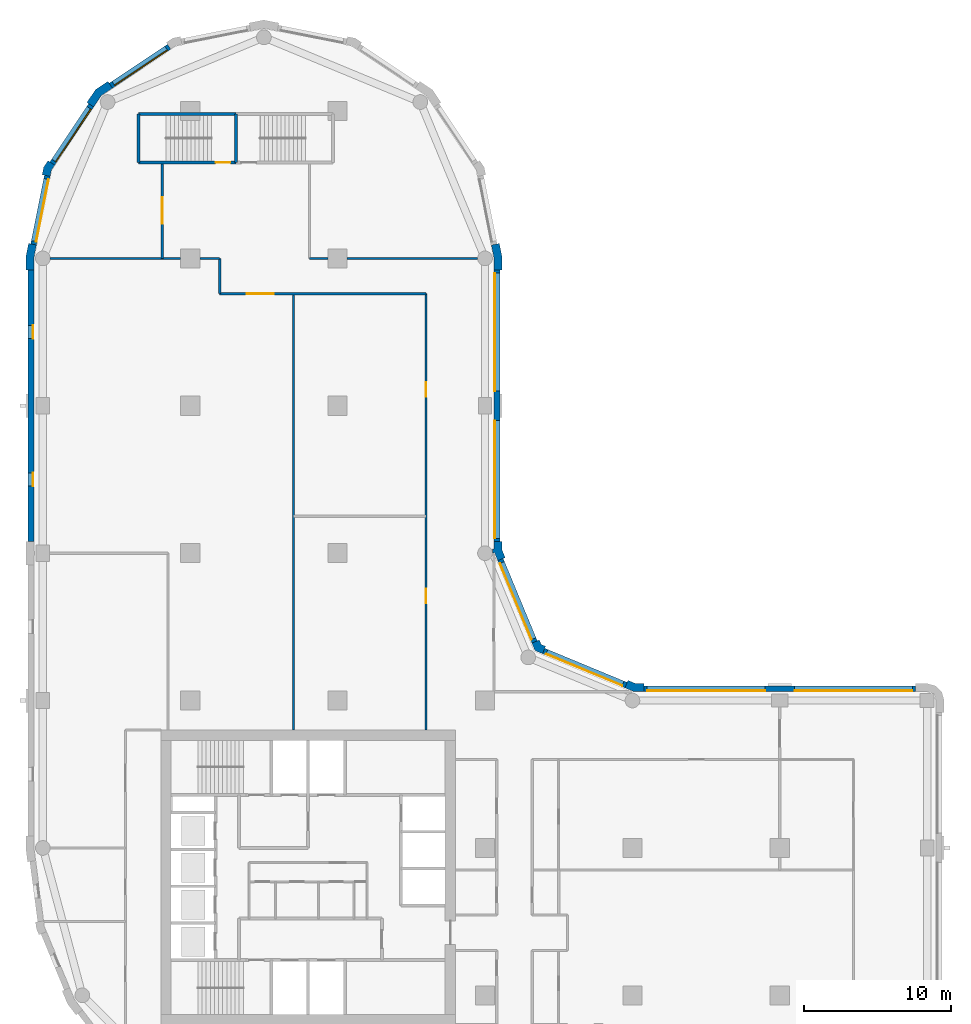
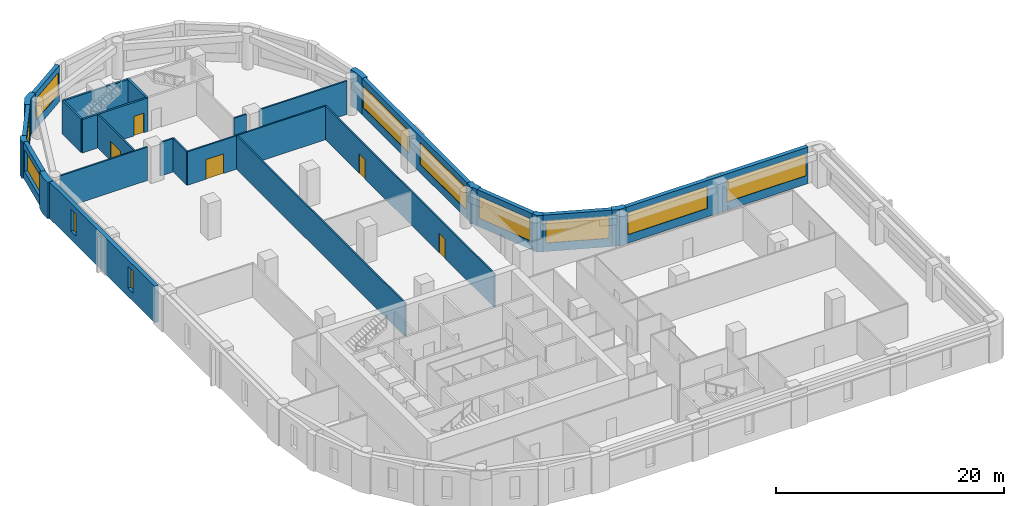
# One storey, part 6 of 9: 28 walls, 11 windows, 5 doors, 16 openings.
"""IFC4 building model written with IfcOpenShell, lengths in metres."""

from ifc_helpers import new_model, si_unit, direction, frame, frame_2d, origin, place, context, subcontext, project, spatial, polyline, rectangle, outline, extrude, material, layer, layer_set, type_object, element, fill, save


model = new_model("IFC4")

# Units and contexts
model_context = context("Model", 3, precision=1e-05, world=origin(), true_north=direction((0.0, 1.0)))
body_context = subcontext(model_context, "Body", "Model", "MODEL_VIEW")
ifc_project = project(units=[si_unit("LENGTHUNIT", "METRE"), si_unit("AREAUNIT", "SQUARE_METRE"), si_unit("VOLUMEUNIT", "CUBIC_METRE"), si_unit("PLANEANGLEUNIT", "RADIAN"), si_unit("MASSUNIT", "GRAM", prefix="KILO")], contexts=[model_context])

# Site, building, storey
site_placement = place(None, origin())
site = spatial("IfcSite", under=ifc_project, at=site_placement, CompositionType="ELEMENT")
building_placement = place(site_placement, origin())
building = spatial("IfcBuilding", under=site, at=building_placement, Name="Qaws Garden Tower", CompositionType="ELEMENT")
storey_placement = place(building_placement, frame((0.0, 0.0, 174.60009765625)))
storey = spatial("IfcBuildingStorey", under=building, at=storey_placement, Name="L42", CompositionType="ELEMENT", Elevation=174.60009765625)

# Wall, openings, windows
ifc_material_1 = material(Name="Clay facing brick masonry", Category="masonry")
ifc_layer_1 = layer(ifc_material_1, 0.39990234375)
ifc_layer_set_1 = layer_set([ifc_layer_1], Name="Clay facing brick masonry")
wall_type_1 = type_object("IfcWallType", Name="Brick infill wall 400", PredefinedType="SOLIDWALL", material=ifc_layer_set_1)
wall_1_placement = place(storey_placement, frame((59.199951171875, 30.800048828125, 0.0), z_axis=(0.0, 0.0, 1.0), x_axis=(-1.0, 0.0, 0.0)))
wall_1 = element("IfcWall", 1, at=wall_1_placement, inside=storey, type_object=wall_type_1, Name="E-L42-infill-07", PredefinedType="SOLIDWALL", context=body_context, shape_type="SweptSolid", body=[
    extrude(rectangle(XDim=18.39990234375, YDim=0.39990234375, at=frame_2d((9.199951171875, 0.0))), origin(), (0.0, 0.0, 1.0), 3.89990234375),
])
opening_1_placement = place(wall_1_placement, frame((0.199951171875, 0.0, 0.89990234375)))
opening_1 = element("IfcOpeningElement", 2, at=opening_1_placement, cuts=wall_1, Name="Opening W01", PredefinedType="OPENING", context=body_context, shape_type="SweptSolid", body=[
    extrude(rectangle(XDim=8.0, YDim=2.35009765625, at=frame_2d((4.0, 1.175048828125))), frame((0.0, 0.2099609375, 0.0), z_axis=(0.0, -1.0, 0.0), x_axis=(1.0, 0.0, 0.0)), (0.0, 0.0, 1.0), 0.419921875),
])
opening_2_placement = place(wall_1_placement, frame((10.199951171875, 0.0, 0.89990234375)))
opening_2 = element("IfcOpeningElement", 3, at=opening_2_placement, cuts=wall_1, Name="Opening W01", PredefinedType="OPENING", context=body_context, shape_type="SweptSolid", body=[
    extrude(rectangle(XDim=8.0, YDim=2.35009765625, at=frame_2d((4.0, 1.175048828125))), frame((0.0, 0.2099609375, 0.0), z_axis=(0.0, -1.0, 0.0), x_axis=(1.0, 0.0, 0.0)), (0.0, 0.0, 1.0), 0.419921875),
])
ifc_material_2 = material(Name="Aluminium framed window, clear glazing", Category="aluminium")
window_type_1 = type_object("IfcWindowType", Name="Ribbon window 8000 x 2350", PartitioningType="DOUBLE_PANEL_VERTICAL", PredefinedType="WINDOW", material=ifc_material_2)
window_1_placement = place(opening_1_placement, origin())
window_1 = element("IfcWindow", 4, at=window_1_placement, inside=storey, type_object=window_type_1, Name="E-L42-window-07-0", OverallHeight=2.35009765625, OverallWidth=8.0, PartitioningType="SINGLE_PANEL", PredefinedType="WINDOW", context=body_context, shape_type="SweptSolid", body=[
    extrude(rectangle(XDim=8.0, YDim=2.35009765625, at=frame_2d((4.0, 1.175048828125))), frame((0.0, 0.159912109375, 0.0), z_axis=(0.0, -1.0, 0.0), x_axis=(1.0, 0.0, 0.0)), (0.0, 0.0, 1.0), 0.06005859375),
])
fill(opening_1, window_1)
window_2_placement = place(opening_2_placement, origin())
window_2 = element("IfcWindow", 5, at=window_2_placement, inside=storey, type_object=window_type_1, Name="E-L42-window-08-0", OverallHeight=2.35009765625, OverallWidth=8.0, PartitioningType="SINGLE_PANEL", PredefinedType="WINDOW", context=body_context, shape_type="SweptSolid", body=[
    extrude(rectangle(XDim=8.0, YDim=2.35009765625, at=frame_2d((4.0, 1.175048828125))), frame((0.0, 0.159912109375, 0.0), z_axis=(0.0, -1.0, 0.0), x_axis=(1.0, 0.0, 0.0)), (0.0, 0.0, 1.0), 0.06005859375),
])
fill(opening_2, window_2)

# Wall, opening, window
wall_2_placement = place(storey_placement, frame((39.56689453125, 31.04541015625, 0.0), z_axis=(0.0, 0.0, 1.0), x_axis=(-0.923891000409, 0.382655745237, 0.0)))
wall_2 = element("IfcWall", 6, at=wall_2_placement, inside=storey, type_object=wall_type_1, Name="E-L42-infill-09", PredefinedType="SOLIDWALL", context=body_context, shape_type="SweptSolid", body=[
    extrude(rectangle(XDim=6.053466796875, YDim=0.39990234375, at=frame_2d((3.02685546875, 0.0))), origin(), (0.0, 0.0, 1.0), 3.89990234375),
])
opening_3_placement = place(wall_2_placement, frame((0.226806640625, 0.0, 0.89990234375)))
opening_3 = element("IfcOpeningElement", 7, at=opening_3_placement, cuts=wall_2, Name="Opening W04", PredefinedType="OPENING", context=body_context, shape_type="SweptSolid", body=[
    extrude(rectangle(XDim=5.60009765625, YDim=2.35009765625, at=frame_2d((2.800048828125, 1.175048828125))), frame((0.0, 0.2099609375, 0.0), z_axis=(0.0, -1.0, 0.0), x_axis=(1.0, 0.0, 0.0)), (0.0, 0.0, 1.0), 0.419921875),
])
ifc_material_3 = material(Name="Aluminium framed window, clear glazing", Category="aluminium")
window_type_2 = type_object("IfcWindowType", Name="Ribbon window 5600 x 2350", PartitioningType="DOUBLE_PANEL_VERTICAL", PredefinedType="WINDOW", material=ifc_material_3)
window_3_placement = place(opening_3_placement, origin())
window_3 = element("IfcWindow", 8, at=window_3_placement, inside=storey, type_object=window_type_2, Name="E-L42-window-09-0", OverallHeight=2.35009765625, OverallWidth=5.60009765625, PartitioningType="SINGLE_PANEL", PredefinedType="WINDOW", context=body_context, shape_type="SweptSolid", body=[
    extrude(rectangle(XDim=5.60009765625, YDim=2.35009765625, at=frame_2d((2.800048828125, 1.175048828125))), frame((0.0, 0.159912109375, 0.0), z_axis=(0.0, -1.0, 0.0), x_axis=(1.0, 0.0, 0.0)), (0.0, 0.0, 1.0), 0.06005859375),
])
fill(opening_3, window_3)

wall_3_placement = place(storey_placement, frame((33.36181640625, 33.97412109375, 0.0), z_axis=(0.0, 0.0, 1.0), x_axis=(-0.382655745237, 0.923891000409, 0.0)))
wall_3 = element("IfcWall", 9, at=wall_3_placement, inside=storey, type_object=wall_type_1, Name="E-L42-infill-10", PredefinedType="SOLIDWALL", context=body_context, shape_type="SweptSolid", body=[
    extrude(rectangle(XDim=6.053466796875, YDim=0.39990234375, at=frame_2d((3.02685546875, 0.0))), origin(), (0.0, 0.0, 1.0), 3.89990234375),
])
opening_4_placement = place(wall_3_placement, frame((0.226806640625, 0.0, 0.89990234375)))
opening_4 = element("IfcOpeningElement", 10, at=opening_4_placement, cuts=wall_3, Name="Opening W04", PredefinedType="OPENING", context=body_context, shape_type="SweptSolid", body=[
    extrude(rectangle(XDim=5.60009765625, YDim=2.35009765625, at=frame_2d((2.800048828125, 1.175048828125))), frame((0.0, 0.2099609375, 0.0), z_axis=(0.0, -1.0, 0.0), x_axis=(1.0, 0.0, 0.0)), (0.0, 0.0, 1.0), 0.419921875),
])
window_4_placement = place(opening_4_placement, origin())
window_4 = element("IfcWindow", 11, at=window_4_placement, inside=storey, type_object=window_type_2, Name="E-L42-window-10-0", OverallHeight=2.35009765625, OverallWidth=5.60009765625, PartitioningType="SINGLE_PANEL", PredefinedType="WINDOW", context=body_context, shape_type="SweptSolid", body=[
    extrude(rectangle(XDim=5.60009765625, YDim=2.35009765625, at=frame_2d((2.800048828125, 1.175048828125))), frame((0.0, 0.159912109375, 0.0), z_axis=(0.0, -1.0, 0.0), x_axis=(1.0, 0.0, 0.0)), (0.0, 0.0, 1.0), 0.06005859375),
])
fill(opening_4, window_4)

# Wall, openings, windows
wall_4_placement = place(storey_placement, frame((30.800048828125, 40.800048828125, 0.0), z_axis=(0.0, 0.0, 1.0), x_axis=(0.0, 1.0, 0.0)))
wall_4 = element("IfcWall", 12, at=wall_4_placement, inside=storey, type_object=wall_type_1, Name="E-L42-infill-11", PredefinedType="SOLIDWALL", context=body_context, shape_type="SweptSolid", body=[
    extrude(rectangle(XDim=18.39990234375, YDim=0.39990234375, at=frame_2d((9.199951171875, 0.0))), origin(), (0.0, 0.0, 1.0), 3.89990234375),
])
opening_5_placement = place(wall_4_placement, frame((0.199951171875, 0.0, 0.89990234375)))
opening_5 = element("IfcOpeningElement", 13, at=opening_5_placement, cuts=wall_4, Name="Opening W01", PredefinedType="OPENING", context=body_context, shape_type="SweptSolid", body=[
    extrude(rectangle(XDim=8.0, YDim=2.35009765625, at=frame_2d((4.0, 1.175048828125))), frame((0.0, 0.2099609375, 0.0), z_axis=(0.0, -1.0, 0.0), x_axis=(1.0, 0.0, 0.0)), (0.0, 0.0, 1.0), 0.419921875),
])
opening_6_placement = place(wall_4_placement, frame((10.199951171875, 0.0, 0.89990234375)))
opening_6 = element("IfcOpeningElement", 14, at=opening_6_placement, cuts=wall_4, Name="Opening W01", PredefinedType="OPENING", context=body_context, shape_type="SweptSolid", body=[
    extrude(rectangle(XDim=8.0, YDim=2.35009765625, at=frame_2d((4.0, 1.175048828125))), frame((0.0, 0.2099609375, 0.0), z_axis=(0.0, -1.0, 0.0), x_axis=(1.0, 0.0, 0.0)), (0.0, 0.0, 1.0), 0.419921875),
])
window_5_placement = place(opening_5_placement, origin())
window_5 = element("IfcWindow", 15, at=window_5_placement, inside=storey, type_object=window_type_1, Name="E-L42-window-11-0", OverallHeight=2.35009765625, OverallWidth=8.0, PartitioningType="SINGLE_PANEL", PredefinedType="WINDOW", context=body_context, shape_type="SweptSolid", body=[
    extrude(rectangle(XDim=8.0, YDim=2.35009765625, at=frame_2d((4.0, 1.175048828125))), frame((0.0, 0.159912109375, 0.0), z_axis=(0.0, -1.0, 0.0), x_axis=(1.0, 0.0, 0.0)), (0.0, 0.0, 1.0), 0.06005859375),
])
fill(opening_5, window_5)
window_6_placement = place(opening_6_placement, origin())
window_6 = element("IfcWindow", 16, at=window_6_placement, inside=storey, type_object=window_type_1, Name="E-L42-window-12-0", OverallHeight=2.35009765625, OverallWidth=8.0, PartitioningType="SINGLE_PANEL", PredefinedType="WINDOW", context=body_context, shape_type="SweptSolid", body=[
    extrude(rectangle(XDim=8.0, YDim=2.35009765625, at=frame_2d((4.0, 1.175048828125))), frame((0.0, 0.159912109375, 0.0), z_axis=(0.0, -1.0, 0.0), x_axis=(1.0, 0.0, 0.0)), (0.0, 0.0, 1.0), 0.06005859375),
])
fill(opening_6, window_6)

# Wall, opening, window
wall_5_placement = place(storey_placement, frame((8.56591796875, 74.356689453125, 0.0), z_axis=(0.0, 0.0, 1.0), x_axis=(-0.831488775454, -0.555541552266, 0.0)))
wall_5 = element("IfcWall", 17, at=wall_5_placement, inside=storey, type_object=wall_type_1, Name="E-L42-infill-18", PredefinedType="SOLIDWALL", context=body_context, shape_type="SweptSolid", body=[
    extrude(rectangle(XDim=4.752685546875, YDim=0.39990234375, at=frame_2d((2.37646484375, 0.0))), origin(), (0.0, 0.0, 1.0), 3.89990234375),
])
opening_7_placement = place(wall_5_placement, frame((0.226318359375, 0.0, 0.89990234375)))
opening_7 = element("IfcOpeningElement", 18, at=opening_7_placement, cuts=wall_5, Name="Opening W06", PredefinedType="OPENING", context=body_context, shape_type="SweptSolid", body=[
    extrude(rectangle(XDim=4.300048828125, YDim=2.35009765625, at=frame_2d((2.14990234375, 1.175048828125))), frame((0.0, 0.2099609375, 0.0), z_axis=(0.0, -1.0, 0.0), x_axis=(1.0, 0.0, 0.0)), (0.0, 0.0, 1.0), 0.419921875),
])
ifc_material_4 = material(Name="Aluminium framed window, clear glazing", Category="aluminium")
window_type_3 = type_object("IfcWindowType", Name="Ribbon window 4300 x 2350", PartitioningType="DOUBLE_PANEL_VERTICAL", PredefinedType="WINDOW", material=ifc_material_4)
window_7_placement = place(opening_7_placement, origin())
window_7 = element("IfcWindow", 19, at=window_7_placement, inside=storey, type_object=window_type_3, Name="E-L42-window-18-0", OverallHeight=2.35009765625, OverallWidth=4.300048828125, PartitioningType="SINGLE_PANEL", PredefinedType="WINDOW", context=body_context, shape_type="SweptSolid", body=[
    extrude(rectangle(XDim=4.300048828125, YDim=2.35009765625, at=frame_2d((2.14990234375, 1.175048828125))), frame((0.0, 0.159912109375, 0.0), z_axis=(0.0, -1.0, 0.0), x_axis=(1.0, 0.0, 0.0)), (0.0, 0.0, 1.0), 0.06005859375),
])
fill(opening_7, window_7)

wall_6_placement = place(storey_placement, frame((3.28369140625, 70.385986328125, 0.0), z_axis=(0.0, 0.0, 1.0), x_axis=(-0.555541552266, -0.831488775454, 0.0)))
wall_6 = element("IfcWall", 20, at=wall_6_placement, inside=storey, type_object=wall_type_1, Name="E-L42-infill-19", PredefinedType="SOLIDWALL", context=body_context, shape_type="SweptSolid", body=[
    extrude(rectangle(XDim=4.752685546875, YDim=0.39990234375, at=frame_2d((2.37646484375, 0.0))), origin(), (0.0, 0.0, 1.0), 3.89990234375),
])
opening_8_placement = place(wall_6_placement, frame((0.226318359375, 0.0, 0.89990234375)))
opening_8 = element("IfcOpeningElement", 21, at=opening_8_placement, cuts=wall_6, Name="Opening W06", PredefinedType="OPENING", context=body_context, shape_type="SweptSolid", body=[
    extrude(rectangle(XDim=4.300048828125, YDim=2.35009765625, at=frame_2d((2.14990234375, 1.175048828125))), frame((0.0, 0.2099609375, 0.0), z_axis=(0.0, -1.0, 0.0), x_axis=(1.0, 0.0, 0.0)), (0.0, 0.0, 1.0), 0.419921875),
])
window_8_placement = place(opening_8_placement, origin())
window_8 = element("IfcWindow", 22, at=window_8_placement, inside=storey, type_object=window_type_3, Name="E-L42-window-19-0", OverallHeight=2.35009765625, OverallWidth=4.300048828125, PartitioningType="SINGLE_PANEL", PredefinedType="WINDOW", context=body_context, shape_type="SweptSolid", body=[
    extrude(rectangle(XDim=4.300048828125, YDim=2.35009765625, at=frame_2d((2.14990234375, 1.175048828125))), frame((0.0, 0.159912109375, 0.0), z_axis=(0.0, -1.0, 0.0), x_axis=(1.0, 0.0, 0.0)), (0.0, 0.0, 1.0), 0.06005859375),
])
fill(opening_8, window_8)

wall_7_placement = place(storey_placement, frame((0.298583984375, 65.60205078125, 0.0), z_axis=(0.0, 0.0, 1.0), x_axis=(-0.195098533057, -0.98078364709, 0.0)))
wall_7 = element("IfcWall", 23, at=wall_7_placement, inside=storey, type_object=wall_type_1, Name="E-L42-infill-20", PredefinedType="SOLIDWALL", context=body_context, shape_type="SweptSolid", body=[
    extrude(rectangle(XDim=4.752685546875, YDim=0.39990234375, at=frame_2d((2.37646484375, 0.0))), origin(), (0.0, 0.0, 1.0), 3.89990234375),
])
opening_9_placement = place(wall_7_placement, frame((0.226318359375, 0.0, 0.89990234375)))
opening_9 = element("IfcOpeningElement", 24, at=opening_9_placement, cuts=wall_7, Name="Opening W06", PredefinedType="OPENING", context=body_context, shape_type="SweptSolid", body=[
    extrude(rectangle(XDim=4.300048828125, YDim=2.35009765625, at=frame_2d((2.14990234375, 1.175048828125))), frame((0.0, 0.2099609375, 0.0), z_axis=(0.0, -1.0, 0.0), x_axis=(1.0, 0.0, 0.0)), (0.0, 0.0, 1.0), 0.419921875),
])
window_9_placement = place(opening_9_placement, origin())
window_9 = element("IfcWindow", 25, at=window_9_placement, inside=storey, type_object=window_type_3, Name="E-L42-window-20-0", OverallHeight=2.35009765625, OverallWidth=4.300048828125, PartitioningType="SINGLE_PANEL", PredefinedType="WINDOW", context=body_context, shape_type="SweptSolid", body=[
    extrude(rectangle(XDim=4.300048828125, YDim=2.35009765625, at=frame_2d((2.14990234375, 1.175048828125))), frame((0.0, 0.159912109375, 0.0), z_axis=(0.0, -1.0, 0.0), x_axis=(1.0, 0.0, 0.0)), (0.0, 0.0, 1.0), 0.06005859375),
])
fill(opening_9, window_9)

# Wall, openings, windows
wall_8_placement = place(storey_placement, frame((-0.800048828125, 59.199951171875, 0.0), z_axis=(0.0, 0.0, 1.0), x_axis=(0.0, -1.0, 0.0)))
wall_8 = element("IfcWall", 26, at=wall_8_placement, inside=storey, type_object=wall_type_1, Name="E-L42-infill-21", PredefinedType="SOLIDWALL", context=body_context, shape_type="SweptSolid", body=[
    extrude(rectangle(XDim=18.39990234375, YDim=0.39990234375, at=frame_2d((9.199951171875, 0.0))), origin(), (0.0, 0.0, 1.0), 3.89990234375),
])
opening_10_placement = place(wall_8_placement, frame((3.75, 0.0, 0.89990234375)))
opening_10 = element("IfcOpeningElement", 27, at=opening_10_placement, cuts=wall_8, Name="Opening W09", PredefinedType="OPENING", context=body_context, shape_type="SweptSolid", body=[
    extrude(rectangle(XDim=0.89990234375, YDim=2.35009765625, at=frame_2d((0.449951171875, 1.175048828125))), frame((0.0, 0.2099609375, 0.0), z_axis=(0.0, -1.0, 0.0), x_axis=(1.0, 0.0, 0.0)), (0.0, 0.0, 1.0), 0.419921875),
])
opening_11_placement = place(wall_8_placement, frame((13.75, 0.0, 0.89990234375)))
opening_11 = element("IfcOpeningElement", 28, at=opening_11_placement, cuts=wall_8, Name="Opening W09", PredefinedType="OPENING", context=body_context, shape_type="SweptSolid", body=[
    extrude(rectangle(XDim=0.89990234375, YDim=2.35009765625, at=frame_2d((0.449951171875, 1.175048828125))), frame((0.0, 0.2099609375, 0.0), z_axis=(0.0, -1.0, 0.0), x_axis=(1.0, 0.0, 0.0)), (0.0, 0.0, 1.0), 0.419921875),
])
ifc_material_5 = material(Name="Aluminium framed window, clear glazing", Category="aluminium")
window_type_4 = type_object("IfcWindowType", Name="Slit window 900 x 2350", PartitioningType="SINGLE_PANEL", PredefinedType="WINDOW", material=ifc_material_5)
window_10_placement = place(opening_10_placement, origin())
window_10 = element("IfcWindow", 29, at=window_10_placement, inside=storey, type_object=window_type_4, Name="E-L42-window-21-0", OverallHeight=2.35009765625, OverallWidth=0.89990234375, PartitioningType="SINGLE_PANEL", PredefinedType="WINDOW", context=body_context, shape_type="SweptSolid", body=[
    extrude(rectangle(XDim=0.89990234375, YDim=2.35009765625, at=frame_2d((0.449951171875, 1.175048828125))), frame((0.0, 0.159912109375, 0.0), z_axis=(0.0, -1.0, 0.0), x_axis=(1.0, 0.0, 0.0)), (0.0, 0.0, 1.0), 0.06005859375),
])
fill(opening_10, window_10)
window_11_placement = place(opening_11_placement, origin())
window_11 = element("IfcWindow", 30, at=window_11_placement, inside=storey, type_object=window_type_4, Name="E-L42-window-22-0", OverallHeight=2.35009765625, OverallWidth=0.89990234375, PartitioningType="SINGLE_PANEL", PredefinedType="WINDOW", context=body_context, shape_type="SweptSolid", body=[
    extrude(rectangle(XDim=0.89990234375, YDim=2.35009765625, at=frame_2d((0.449951171875, 1.175048828125))), frame((0.0, 0.159912109375, 0.0), z_axis=(0.0, -1.0, 0.0), x_axis=(1.0, 0.0, 0.0)), (0.0, 0.0, 1.0), 0.06005859375),
])
fill(opening_11, window_11)

# Walls
ifc_material_6 = material(Name="Clay facing brick masonry", Category="masonry")
ifc_layer_2 = layer(ifc_material_6, 0.550048828125)
ifc_layer_set_2 = layer_set([ifc_layer_2], Name="Clay facing brick masonry")
wall_type_2 = type_object("IfcWallType", Name="Brick kink pier 550 x 600", PredefinedType="SOLIDWALL", material=ifc_layer_set_2)
placement = place(storey_placement, origin())
element("IfcWall", 31, at=placement, inside=storey, type_object=wall_type_2, Name="E-L42-pier-20", PredefinedType="SOLIDWALL", context=body_context, shape_type="SweptSolid", body=[
    extrude(outline(polyline([(0.47705078125, 66.545166015625), (0.352294921875, 66.628662109375), (0.05859375, 66.18896484375), (-0.044677734375, 65.67041015625), (0.1025390625, 65.64111328125), (0.494873046875, 65.56298828125), (0.57666015625, 65.974365234375), (0.8095703125, 66.322998046875), (0.47705078125, 66.545166015625)])), origin(), (0.0, 0.0, 1.0), 3.89990234375),
])
ifc_material_7 = material(Name="Clay facing brick masonry", Category="masonry")
ifc_layer_3 = layer(ifc_material_7, 0.550048828125)
ifc_layer_set_3 = layer_set([ifc_layer_3], Name="Clay facing brick masonry")
wall_type_3 = type_object("IfcWallType", Name="Brick pier 550 x 1600", PredefinedType="SOLIDWALL", material=ifc_layer_set_3)
element("IfcWall", 32, at=placement, inside=storey, type_object=wall_type_3, Name="E-L42-pier-09", PredefinedType="SOLIDWALL", context=body_context, shape_type="SweptSolid", body=[
    extrude(outline(polyline([(40.800048828125, 31.0), (40.800048828125, 31.14990234375), (40.228759765625, 31.14990234375), (39.700927734375, 31.36865234375), (39.6435546875, 31.22998046875), (39.490478515625, 30.860595703125), (40.119384765625, 30.60009765625), (40.800048828125, 30.60009765625), (40.800048828125, 31.0)])), origin(), (0.0, 0.0, 1.0), 3.89990234375),
])
element("IfcWall", 33, at=placement, inside=storey, type_object=wall_type_3, Name="E-L42-pier-10", PredefinedType="SOLIDWALL", context=body_context, shape_type="SweptSolid", body=[
    extrude(outline(polyline([(34.05078125, 33.546630859375), (34.108154296875, 33.685302734375), (33.80908203125, 33.80908203125), (33.685302734375, 34.108154296875), (33.546630859375, 34.05078125), (33.177001953125, 33.897705078125), (33.38818359375, 33.38818359375), (33.897705078125, 33.177001953125), (34.05078125, 33.546630859375)])), origin(), (0.0, 0.0, 1.0), 3.89990234375),
])
element("IfcWall", 34, at=placement, inside=storey, type_object=wall_type_3, Name="E-L42-pier-11", PredefinedType="SOLIDWALL", context=body_context, shape_type="SweptSolid", body=[
    extrude(outline(polyline([(30.6201171875, 39.995361328125), (30.6201171875, 40.071044921875), (30.860595703125, 39.490478515625), (31.22998046875, 39.6435546875), (31.36865234375, 39.700927734375), (31.14990234375, 40.228759765625), (31.14990234375, 40.800048828125), (31.0, 40.800048828125), (30.60009765625, 40.800048828125), (30.60009765625, 40.29541015625), (30.5, 40.29541015625), (30.5, 39.995361328125), (30.6201171875, 39.995361328125)])), origin(), (0.0, 0.0, 1.0), 3.89990234375),
])
element("IfcWall", 35, at=placement, inside=storey, type_object=wall_type_3, Name="E-L42-pier-13", PredefinedType="SOLIDWALL", context=body_context, shape_type="SweptSolid", body=[
    extrude(outline(polyline([(31.0, 59.199951171875), (31.14990234375, 59.199951171875), (31.14990234375, 60.11328125), (30.971923828125, 61.009033203125), (30.82470703125, 60.979736328125), (30.432373046875, 60.901611328125), (30.60009765625, 60.05908203125), (30.60009765625, 59.199951171875), (31.0, 59.199951171875)])), origin(), (0.0, 0.0, 1.0), 3.89990234375),
])
element("IfcWall", 36, at=placement, inside=storey, type_object=wall_type_3, Name="E-L42-pier-19", PredefinedType="SOLIDWALL", context=body_context, shape_type="SweptSolid", body=[
    extrude(outline(polyline([(4.5029296875, 71.882568359375), (4.419677734375, 72.00732421875), (3.564208984375, 71.435791015625), (2.99267578125, 70.580322265625), (3.117431640625, 70.4970703125), (3.449951171875, 70.274658203125), (3.9609375, 71.0390625), (4.725341796875, 71.550048828125), (4.5029296875, 71.882568359375)])), origin(), (0.0, 0.0, 1.0), 3.89990234375),
])
element("IfcWall", 37, at=placement, inside=storey, type_object=wall_type_3, Name="E-L42-pier-21", PredefinedType="SOLIDWALL", context=body_context, shape_type="SweptSolid", body=[
    extrude(outline(polyline([(-0.82470703125, 60.979736328125), (-0.971923828125, 61.009033203125), (-1.14990234375, 60.11328125), (-1.14990234375, 59.199951171875), (-1.0, 59.199951171875), (-0.60009765625, 59.199951171875), (-0.60009765625, 60.05908203125), (-0.432373046875, 60.901611328125), (-0.82470703125, 60.979736328125)])), origin(), (0.0, 0.0, 1.0), 3.89990234375),
])

# Wall, opening, door
ifc_material_8 = material(Name="Concrete C70", Category="concrete")
ifc_layer_4 = layer(ifc_material_8, 0.199951171875)
ifc_layer_set_4 = layer_set([ifc_layer_4], Name="Concrete C70")
wall_type_4 = type_object("IfcWallType", Name="Core shaft wall 200 C70", PredefinedType="SHEAR", material=ifc_layer_set_4)
wall_16_placement = place(storey_placement, frame((6.5, 66.5, 0.0), z_axis=(0.0, 0.0, 1.0), x_axis=(1.0, 0.0, 0.0)))
wall_16 = element("IfcWall", 38, at=wall_16_placement, inside=storey, type_object=wall_type_4, Name="Shaft wall", PredefinedType="SHEAR", context=body_context, shape_type="SweptSolid", body=[
    extrude(rectangle(XDim=6.60009765625, YDim=0.199951171875, at=frame_2d((3.300048828125, 0.0))), origin(), (0.0, 0.0, 1.0), 3.579833984375),
])
opening_12_placement = place(wall_16_placement, frame((5.22509765625, 0.0, 0.0)))
opening_12 = element("IfcOpeningElement", 39, at=opening_12_placement, cuts=wall_16, Name="Opening SD13", PredefinedType="OPENING", context=body_context, shape_type="SweptSolid", body=[
    extrude(rectangle(XDim=1.0, YDim=2.10009765625, at=frame_2d((0.5, 1.050048828125))), frame((0.0, 0.10986328125, 0.0), z_axis=(0.0, -1.0, 0.0), x_axis=(1.0, 0.0, 0.0)), (0.0, 0.0, 1.0), 0.219970703125),
])
ifc_material_9 = material(Name="Steel S235", Category="steel")
door_type_1 = type_object("IfcDoorType", Name="Stair door 1000x2100", OperationType="SINGLE_SWING_RIGHT", PredefinedType="DOOR", material=ifc_material_9)
door_1_placement = place(opening_12_placement, origin())
door_1 = element("IfcDoor", 40, at=door_1_placement, inside=storey, type_object=door_type_1, Name="Stair 6 door", OperationType="SINGLE_SWING_RIGHT", OverallHeight=2.10009765625, OverallWidth=1.0, PredefinedType="DOOR", context=body_context, shape_type="SweptSolid", body=[
    extrude(rectangle(XDim=1.0, YDim=2.10009765625, at=frame_2d((0.5, 1.050048828125))), frame((0.0, 0.02490234375, 0.0), z_axis=(0.0, -1.0, 0.0), x_axis=(1.0, 0.0, 0.0)), (0.0, 0.0, 1.0), 0.050048828125),
])
fill(opening_12, door_1)

# Walls
wall_17_placement = place(storey_placement, frame((6.5, 69.800048828125, 0.0), z_axis=(0.0, 0.0, 1.0), x_axis=(1.0, 0.0, 0.0)))
element("IfcWall", 41, at=wall_17_placement, inside=storey, type_object=wall_type_4, Name="Shaft wall", PredefinedType="SHEAR", context=body_context, shape_type="SweptSolid", body=[
    extrude(rectangle(XDim=6.60009765625, YDim=0.199951171875, at=frame_2d((3.300048828125, 0.0))), origin(), (0.0, 0.0, 1.0), 3.579833984375),
])
for number, where, z_axis, x_axis, name in (
    (42, (6.5, 66.5, 0.0), (0.0, 0.0, 1.0), (0.0, 1.0, 0.0), "Shaft wall"),
    (43, (13.10009765625, 66.5, 0.0), (0.0, 0.0, 1.0), (0.0, 1.0, 0.0), "Shaft wall"),
):
    element("IfcWall", number, at=place(storey_placement, frame(where, z_axis=z_axis, x_axis=x_axis)), inside=storey, type_object=wall_type_4, Name=name, PredefinedType="SHEAR", context=body_context, shape_type="SweptSolid", body=[
        extrude(rectangle(XDim=3.300048828125, YDim=0.199951171875, at=frame_2d((1.64990234375, 0.0))), origin(), (0.0, 0.0, 1.0), 3.579833984375),
    ])

# Wall, opening, door
ifc_material_10 = material(Name="Gypsum board partition")
ifc_layer_5 = layer(ifc_material_10, 0.14990234375)
ifc_layer_set_5 = layer_set([ifc_layer_5], Name="Gypsum board partition")
wall_type_5 = type_object("IfcWallType", Name="PARTITION 150 EI 60", PredefinedType="PARTITIONING", material=ifc_layer_set_5)
wall_18_placement = place(storey_placement, frame((8.10009765625, 60.0, 0.0), z_axis=(0.0, 0.0, 1.0), x_axis=(0.0, 1.0, 0.0)))
wall_18 = element("IfcWall", 44, at=wall_18_placement, inside=storey, type_object=wall_type_5, Name="O-L42-wall-007", PredefinedType="PARTITIONING", context=body_context, shape_type="SweptSolid", body=[
    extrude(rectangle(XDim=6.39990234375, YDim=0.14990234375, at=frame_2d((3.199951171875, 0.0))), origin(), (0.0, 0.0, 1.0), 3.579833984375),
])
opening_13_placement = place(wall_18_placement, frame((2.35009765625, 0.0, 0.0)))
opening_13 = element("IfcOpeningElement", 45, at=opening_13_placement, cuts=wall_18, Name="Opening B412", PredefinedType="OPENING", context=body_context, shape_type="SweptSolid", body=[
    extrude(rectangle(XDim=1.800048828125, YDim=2.10009765625, at=frame_2d((0.89990234375, 1.050048828125))), frame((0.0, 0.0849609375, 0.0), z_axis=(0.0, -1.0, 0.0), x_axis=(1.0, 0.0, 0.0)), (0.0, 0.0, 1.0), 0.169921875),
])
ifc_material_11 = material(Name="Timber door leaf", Category="wood")
door_type_2 = type_object("IfcDoorType", Name="DOUBLE DOOR 1800 X 2100", OperationType="DOUBLE_DOOR_SINGLE_SWING", PredefinedType="DOOR", material=ifc_material_11)
door_2_placement = place(opening_13_placement, origin())
door_2 = element("IfcDoor", 46, at=door_2_placement, inside=storey, type_object=door_type_2, Name="O-L42-door-012", OperationType="DOUBLE_DOOR_SINGLE_SWING", OverallHeight=2.10009765625, OverallWidth=1.800048828125, PredefinedType="DOOR", context=body_context, shape_type="SweptSolid", body=[
    extrude(rectangle(XDim=1.800048828125, YDim=2.10009765625, at=frame_2d((0.89990234375, 1.050048828125))), frame((0.0, 0.02490234375, 0.0), z_axis=(0.0, -1.0, 0.0), x_axis=(1.0, 0.0, 0.0)), (0.0, 0.0, 1.0), 0.050048828125),
])
fill(opening_13, door_2)

# Walls
wall_19_placement = place(storey_placement, frame((12.0, 57.60009765625, 0.0), z_axis=(0.0, 0.0, 1.0), x_axis=(0.0, 1.0, 0.0)))
element("IfcWall", 47, at=wall_19_placement, inside=storey, type_object=wall_type_5, Name="O-L42-wall-009", PredefinedType="PARTITIONING", context=body_context, shape_type="SweptSolid", body=[
    extrude(rectangle(XDim=2.39990234375, YDim=0.14990234375, at=frame_2d((1.199951171875, 0.0))), origin(), (0.0, 0.0, 1.0), 3.579833984375),
])
wall_20_placement = place(storey_placement, frame((17.0, 28.0, 0.0), z_axis=(0.0, 0.0, 1.0), x_axis=(0.0, 1.0, 0.0)))
element("IfcWall", 48, at=wall_20_placement, inside=storey, type_object=wall_type_5, Name="O-L42-wall-011", PredefinedType="PARTITIONING", context=body_context, shape_type="SweptSolid", body=[
    extrude(rectangle(XDim=29.60009765625, YDim=0.14990234375, at=frame_2d((14.800048828125, 0.0))), origin(), (0.0, 0.0, 1.0), 3.579833984375),
])

# Wall, openings, doors
wall_21_placement = place(storey_placement, frame((26.0, 28.0, 0.0), z_axis=(0.0, 0.0, 1.0), x_axis=(0.0, 1.0, 0.0)))
wall_21 = element("IfcWall", 49, at=wall_21_placement, inside=storey, type_object=wall_type_5, Name="O-L42-wall-014", PredefinedType="PARTITIONING", context=body_context, shape_type="SweptSolid", body=[
    extrude(rectangle(XDim=29.60009765625, YDim=0.14990234375, at=frame_2d((14.800048828125, 0.0))), origin(), (0.0, 0.0, 1.0), 3.579833984375),
])
opening_14_placement = place(wall_21_placement, frame((8.60009765625, 0.0, 0.0)))
opening_14 = element("IfcOpeningElement", 50, at=opening_14_placement, cuts=wall_21, Name="Opening B407", PredefinedType="OPENING", context=body_context, shape_type="SweptSolid", body=[
    extrude(rectangle(XDim=1.0, YDim=2.10009765625, at=frame_2d((0.5, 1.050048828125))), frame((0.0, 0.0849609375, 0.0), z_axis=(0.0, -1.0, 0.0), x_axis=(1.0, 0.0, 0.0)), (0.0, 0.0, 1.0), 0.169921875),
])
opening_15_placement = place(wall_21_placement, frame((22.60009765625, 0.0, 0.0)))
opening_15 = element("IfcOpeningElement", 51, at=opening_15_placement, cuts=wall_21, Name="Opening B408", PredefinedType="OPENING", context=body_context, shape_type="SweptSolid", body=[
    extrude(rectangle(XDim=1.0, YDim=2.10009765625, at=frame_2d((0.5, 1.050048828125))), frame((0.0, 0.0849609375, 0.0), z_axis=(0.0, -1.0, 0.0), x_axis=(1.0, 0.0, 0.0)), (0.0, 0.0, 1.0), 0.169921875),
])
ifc_material_12 = material(Name="Timber door leaf", Category="wood")
door_type_3 = type_object("IfcDoorType", Name="TENANCY ENTRANCE DOOR 1000 X 2100", OperationType="SINGLE_SWING_LEFT", PredefinedType="DOOR", material=ifc_material_12)
door_3_placement = place(opening_14_placement, origin())
door_3 = element("IfcDoor", 52, at=door_3_placement, inside=storey, type_object=door_type_3, Name="O-L42-door-007", OperationType="SINGLE_SWING_LEFT", OverallHeight=2.10009765625, OverallWidth=1.0, PredefinedType="DOOR", context=body_context, shape_type="SweptSolid", body=[
    extrude(rectangle(XDim=1.0, YDim=2.10009765625, at=frame_2d((0.5, 1.050048828125))), frame((0.0, 0.02490234375, 0.0), z_axis=(0.0, -1.0, 0.0), x_axis=(1.0, 0.0, 0.0)), (0.0, 0.0, 1.0), 0.050048828125),
])
fill(opening_14, door_3)
door_4_placement = place(opening_15_placement, origin())
door_4 = element("IfcDoor", 53, at=door_4_placement, inside=storey, type_object=door_type_3, Name="O-L42-door-008", OperationType="SINGLE_SWING_LEFT", OverallHeight=2.10009765625, OverallWidth=1.0, PredefinedType="DOOR", context=body_context, shape_type="SweptSolid", body=[
    extrude(rectangle(XDim=1.0, YDim=2.10009765625, at=frame_2d((0.5, 1.050048828125))), frame((0.0, 0.02490234375, 0.0), z_axis=(0.0, -1.0, 0.0), x_axis=(1.0, 0.0, 0.0)), (0.0, 0.0, 1.0), 0.050048828125),
])
fill(opening_15, door_4)

# Wall, opening, door
wall_22_placement = place(storey_placement, frame((12.0, 57.60009765625, 0.0), z_axis=(0.0, 0.0, 1.0), x_axis=(1.0, 0.0, 0.0)))
wall_22 = element("IfcWall", 54, at=wall_22_placement, inside=storey, type_object=wall_type_5, Name="O-L42-wall-048", PredefinedType="PARTITIONING", context=body_context, shape_type="SweptSolid", body=[
    extrude(rectangle(XDim=14.0, YDim=0.14990234375, at=frame_2d((7.0, 0.0))), origin(), (0.0, 0.0, 1.0), 3.579833984375),
])
opening_16_placement = place(wall_22_placement, frame((1.85009765625, 0.0, 0.0)))
opening_16 = element("IfcOpeningElement", 55, at=opening_16_placement, cuts=wall_22, Name="Opening B409", PredefinedType="OPENING", context=body_context, shape_type="SweptSolid", body=[
    extrude(rectangle(XDim=1.800048828125, YDim=2.10009765625, at=frame_2d((0.89990234375, 1.050048828125))), frame((0.0, 0.0849609375, 0.0), z_axis=(0.0, -1.0, 0.0), x_axis=(1.0, 0.0, 0.0)), (0.0, 0.0, 1.0), 0.169921875),
])
door_5_placement = place(opening_16_placement, frame((1.800048828125, 0.0, 0.0), z_axis=(0.0, 0.0, 1.0), x_axis=(-1.0, 0.0, 0.0)))
door_5 = element("IfcDoor", 56, at=door_5_placement, inside=storey, type_object=door_type_2, Name="O-L42-door-009", OperationType="DOUBLE_DOOR_SINGLE_SWING", OverallHeight=2.10009765625, OverallWidth=1.800048828125, PredefinedType="DOOR", context=body_context, shape_type="SweptSolid", body=[
    extrude(rectangle(XDim=1.800048828125, YDim=2.10009765625, at=frame_2d((0.89990234375, 1.050048828125))), frame((0.0, 0.02490234375, 0.0), z_axis=(0.0, -1.0, 0.0), x_axis=(1.0, 0.0, 0.0)), (0.0, 0.0, 1.0), 0.050048828125),
])
fill(opening_16, door_5)

# Walls
wall_23_placement = place(storey_placement, frame((0.5, 60.0, 0.0), z_axis=(0.0, 0.0, 1.0), x_axis=(1.0, 0.0, 0.0)))
element("IfcWall", 57, at=wall_23_placement, inside=storey, type_object=wall_type_5, Name="O-L42-wall-049", PredefinedType="PARTITIONING", context=body_context, shape_type="SweptSolid", body=[
    extrude(rectangle(XDim=8.85009765625, YDim=0.14990234375, at=frame_2d((4.425048828125, 0.0))), origin(), (0.0, 0.0, 1.0), 3.579833984375),
])
wall_24_placement = place(storey_placement, frame((10.64990234375, 60.0, 0.0), z_axis=(0.0, 0.0, 1.0), x_axis=(1.0, 0.0, 0.0)))
element("IfcWall", 58, at=wall_24_placement, inside=storey, type_object=wall_type_5, Name="O-L42-wall-050", PredefinedType="PARTITIONING", context=body_context, shape_type="SweptSolid", body=[
    extrude(rectangle(XDim=1.35009765625, YDim=0.14990234375, at=frame_2d((0.675048828125, 0.0))), origin(), (0.0, 0.0, 1.0), 3.579833984375),
])
wall_25_placement = place(storey_placement, frame((18.10009765625, 60.0, 0.0), z_axis=(0.0, 0.0, 1.0), x_axis=(1.0, 0.0, 0.0)))
element("IfcWall", 59, at=wall_25_placement, inside=storey, type_object=wall_type_5, Name="O-L42-wall-051", PredefinedType="PARTITIONING", context=body_context, shape_type="SweptSolid", body=[
    extrude(rectangle(XDim=1.25, YDim=0.14990234375, at=frame_2d((0.625, 0.0))), origin(), (0.0, 0.0, 1.0), 3.579833984375),
])
wall_26_placement = place(storey_placement, frame((20.64990234375, 60.0, 0.0), z_axis=(0.0, 0.0, 1.0), x_axis=(1.0, 0.0, 0.0)))
element("IfcWall", 60, at=wall_26_placement, inside=storey, type_object=wall_type_5, Name="O-L42-wall-052", PredefinedType="PARTITIONING", context=body_context, shape_type="SweptSolid", body=[
    extrude(rectangle(XDim=8.85009765625, YDim=0.14990234375, at=frame_2d((4.425048828125, 0.0))), origin(), (0.0, 0.0, 1.0), 3.579833984375),
])

save(model, "model.ifc")
